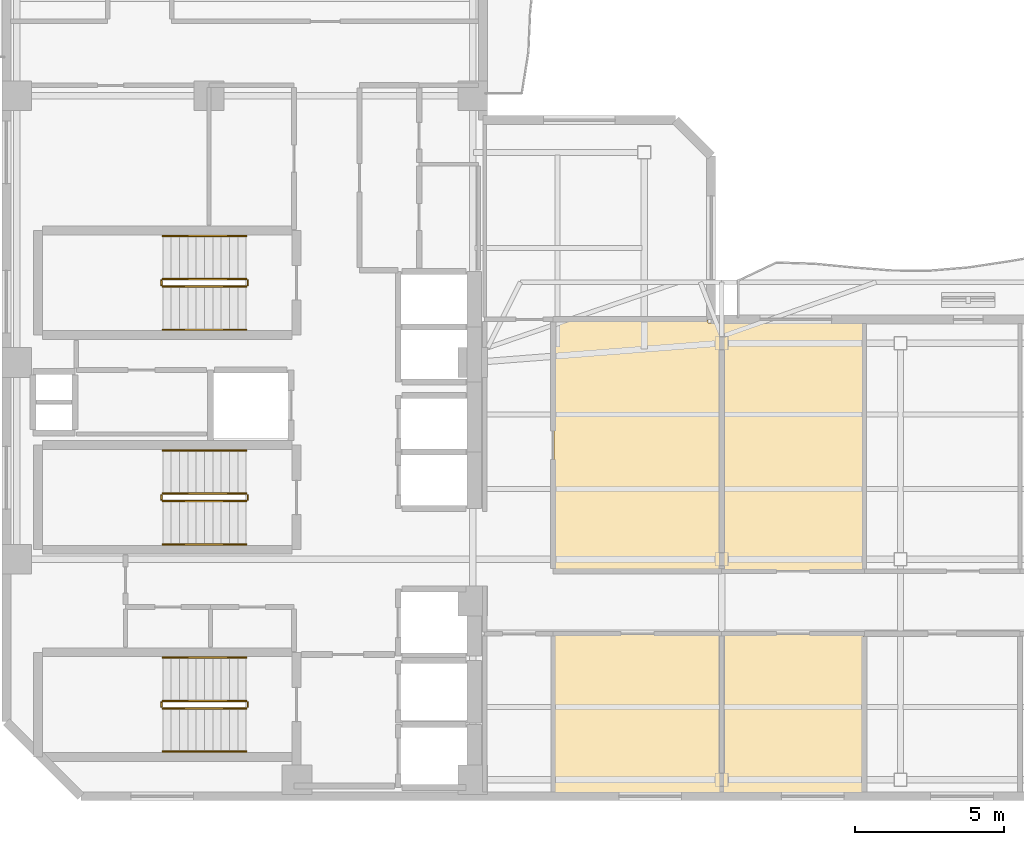
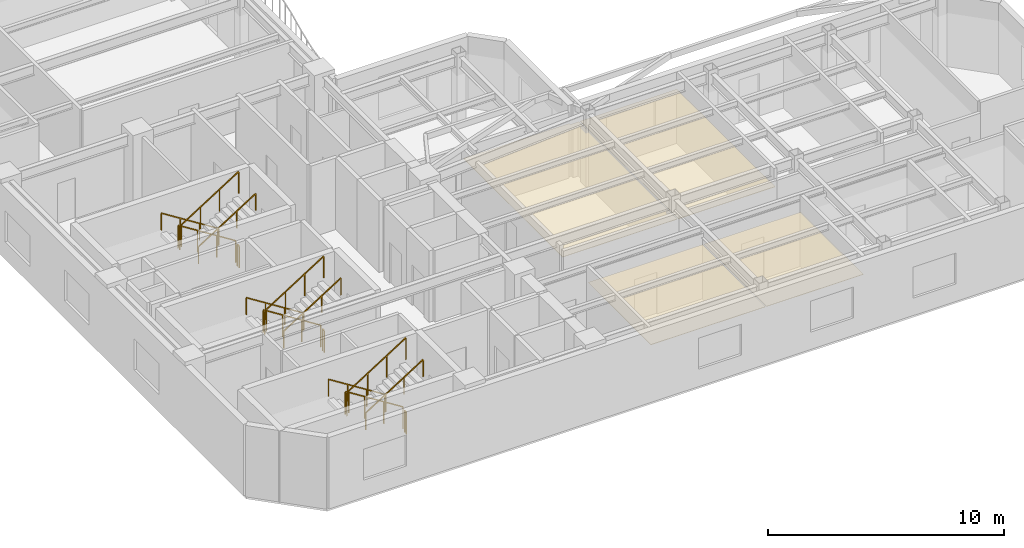
# One storey, part 7 of 9: 18 railings, 4 coverings.
"""IFC4 building model written with IfcOpenShell, lengths in metres."""

from ifc_helpers import new_model, si_unit, direction, frame, origin, origin_2d, place, context, subcontext, project, spatial, polyline, rectangle, outline, extrude, material, layer, layer_set, type_object, element, save


model = new_model("IFC4")

# Units and contexts
model_context = context("Model", 3, precision=1e-05, world=origin(), true_north=direction((0.0, 1.0)))
body_context = subcontext(model_context, "Body", "Model", "MODEL_VIEW")
ifc_project = project(units=[si_unit("LENGTHUNIT", "METRE"), si_unit("AREAUNIT", "SQUARE_METRE"), si_unit("VOLUMEUNIT", "CUBIC_METRE"), si_unit("PLANEANGLEUNIT", "RADIAN"), si_unit("MASSUNIT", "GRAM", prefix="KILO")], contexts=[model_context])

# Site, building, storey
site_placement = place(None, origin())
site = spatial("IfcSite", under=ifc_project, at=site_placement, CompositionType="ELEMENT")
building_placement = place(site_placement, origin())
building = spatial("IfcBuilding", under=site, at=building_placement, Name="Mawjaban Terraces University", CompositionType="ELEMENT")
storey_placement = place(building_placement, frame((0.0, 0.0, 210.89990234375)))
storey = spatial("IfcBuildingStorey", under=building, at=storey_placement, Name="L51", CompositionType="ELEMENT", Elevation=210.89990234375)

# Coverings
ifc_material_1 = material(Name="Acoustic mineral fibre ceiling tile", Category="masonry")
ifc_layer = layer(ifc_material_1, 0.02001953125)
ifc_layer_set = layer_set([ifc_layer], Name="Acoustic mineral fibre ceiling tile")
covering_type = type_object("IfcCoveringType", Name="AcousticMineralCeiling_20", PredefinedType="CEILING", material=ifc_layer_set)
covering_1_placement = place(storey_placement, frame((0.0, 0.0, 2.75)))
element("IfcCovering", 1, at=covering_1_placement, inside=storey, type_object=covering_type, Name="L51 Teaching Laboratory 2 Acoustic Ceiling", PredefinedType="CEILING", context=body_context, shape_type="SweptSolid", body=[
    extrude(outline(polyline([(40.3798828125, 0.114990234375), (45.969970703125, 0.114990234375), (45.969970703125, 5.419921875), (40.3798828125, 5.419921875), (40.3798828125, 0.114990234375)])), origin(), (0.0, 0.0, 1.0), 0.02001953125),
])
covering_2_placement = place(storey_placement, frame((0.0, 0.0, 2.75)))
element("IfcCovering", 2, at=covering_2_placement, inside=storey, type_object=covering_type, Name="L51 Design Studio 3 Acoustic Ceiling", PredefinedType="CEILING", context=body_context, shape_type="SweptSolid", body=[
    extrude(outline(polyline([(45.969970703125, 15.885009765625), (45.534912109375, 15.885009765625), (45.534912109375, 15.969970703125), (40.3798828125, 15.969970703125), (40.3798828125, 7.580078125), (45.969970703125, 7.580078125), (45.969970703125, 15.885009765625)])), origin(), (0.0, 0.0, 1.0), 0.02001953125),
])
covering_3_placement = place(storey_placement, frame((0.0, 0.0, 2.75)))
element("IfcCovering", 3, at=covering_3_placement, inside=storey, type_object=covering_type, Name="L51 Computational Laboratory 4 Acoustic Ceiling", PredefinedType="CEILING", context=body_context, shape_type="SweptSolid", body=[
    extrude(outline(polyline([(46.030029296875, 0.114990234375), (50.757080078125, 0.114990234375), (50.757080078125, 5.419921875), (46.030029296875, 5.419921875), (46.030029296875, 0.114990234375)])), origin(), (0.0, 0.0, 1.0), 0.02001953125),
])
covering_4_placement = place(storey_placement, frame((0.0, 0.0, 2.75)))
element("IfcCovering", 4, at=covering_4_placement, inside=storey, type_object=covering_type, Name="L51 Teaching Laboratory 5 Acoustic Ceiling", PredefinedType="CEILING", context=body_context, shape_type="SweptSolid", body=[
    extrude(outline(polyline([(50.757080078125, 15.885009765625), (46.030029296875, 15.885009765625), (46.030029296875, 7.580078125), (50.757080078125, 7.580078125), (50.757080078125, 15.885009765625)])), origin(), (0.0, 0.0, 1.0), 0.02001953125),
])

# Railings
ifc_material_2 = material(Name="Brushed stainless steel 316", Category="steel")
railing_type_1 = type_object("IfcRailingType", Name="StairWallHandrail_900", PredefinedType="HANDRAIL", material=ifc_material_2)
railing_1_placement = place(storey_placement, frame((30.050048828125, 4.64990234375, 0.177490234375)))
element("IfcRailing", 5, at=railing_1_placement, inside=storey, type_object=railing_type_1, Name="L51 ST-1 stair handrail 1", PredefinedType="HANDRAIL", context=body_context, shape_type="SweptSolid", body=[
    extrude(rectangle(XDim=0.048095703125, YDim=0.048095703125, at=origin_2d()), frame((0.0, 0.0, 0.8759765625), z_axis=(-0.844908973607, 0.0, 0.534910110503), x_axis=(0.0, -1.0, 0.0)), (0.0, 0.0, 1.0), 3.31396484375),
    extrude(rectangle(XDim=0.0419921875, YDim=0.0419921875, at=origin_2d()), origin(), (0.0, 0.0, 1.0), 0.851806640625),
    extrude(rectangle(XDim=0.0419921875, YDim=0.0419921875, at=origin_2d()), frame((-0.933349609375, 0.0, 0.5908203125)), (0.0, 0.0, 1.0), 0.851806640625),
    extrude(rectangle(XDim=0.0419921875, YDim=0.0419921875, at=origin_2d()), frame((-1.86669921875, 0.0, 1.181884765625)), (0.0, 0.0, 1.0), 0.851806640625),
    extrude(rectangle(XDim=0.0419921875, YDim=0.0419921875, at=origin_2d()), frame((-2.800048828125, 0.0, 1.772705078125)), (0.0, 0.0, 1.0), 0.851806640625),
])
railing_2_placement = place(storey_placement, frame((27.25, 1.5, 2.12744140625)))
element("IfcRailing", 6, at=railing_2_placement, inside=storey, type_object=railing_type_1, Name="L51 ST-1 stair handrail 2", PredefinedType="HANDRAIL", context=body_context, shape_type="SweptSolid", body=[
    extrude(rectangle(XDim=0.048095703125, YDim=0.048095703125, at=origin_2d()), frame((0.0, 0.0, 0.8759765625), z_axis=(0.844908973607, 0.0, 0.534910110503), x_axis=(0.0, 1.0, 0.0)), (0.0, 0.0, 1.0), 3.31396484375),
    extrude(rectangle(XDim=0.0419921875, YDim=0.0419921875, at=origin_2d()), origin(), (0.0, 0.0, 1.0), 0.851806640625),
    extrude(rectangle(XDim=0.0419921875, YDim=0.0419921875, at=origin_2d()), frame((0.933349609375, 0.0, 0.5908203125)), (0.0, 0.0, 1.0), 0.851806640625),
    extrude(rectangle(XDim=0.0419921875, YDim=0.0419921875, at=origin_2d()), frame((1.86669921875, 0.0, 1.181884765625)), (0.0, 0.0, 1.0), 0.851806640625),
    extrude(rectangle(XDim=0.0419921875, YDim=0.0419921875, at=origin_2d()), frame((2.800048828125, 0.0, 1.772705078125)), (0.0, 0.0, 1.0), 0.851806640625),
])
railing_3_placement = place(storey_placement, frame((30.050048828125, 18.800048828125, 0.177490234375)))
element("IfcRailing", 7, at=railing_3_placement, inside=storey, type_object=railing_type_1, Name="L51 ST-2 stair handrail 1", PredefinedType="HANDRAIL", context=body_context, shape_type="SweptSolid", body=[
    extrude(rectangle(XDim=0.048095703125, YDim=0.048095703125, at=origin_2d()), frame((0.0, 0.0, 0.8759765625), z_axis=(-0.844908973607, 0.0, 0.534910110503), x_axis=(0.0, -1.0, 0.0)), (0.0, 0.0, 1.0), 3.31396484375),
    extrude(rectangle(XDim=0.0419921875, YDim=0.0419921875, at=origin_2d()), origin(), (0.0, 0.0, 1.0), 0.851806640625),
    extrude(rectangle(XDim=0.0419921875, YDim=0.0419921875, at=origin_2d()), frame((-0.933349609375, 0.0, 0.5908203125)), (0.0, 0.0, 1.0), 0.851806640625),
    extrude(rectangle(XDim=0.0419921875, YDim=0.0419921875, at=origin_2d()), frame((-1.86669921875, 0.0, 1.181884765625)), (0.0, 0.0, 1.0), 0.851806640625),
    extrude(rectangle(XDim=0.0419921875, YDim=0.0419921875, at=origin_2d()), frame((-2.800048828125, 0.0, 1.772705078125)), (0.0, 0.0, 1.0), 0.851806640625),
])
railing_4_placement = place(storey_placement, frame((27.25, 15.64990234375, 2.12744140625)))
element("IfcRailing", 8, at=railing_4_placement, inside=storey, type_object=railing_type_1, Name="L51 ST-2 stair handrail 2", PredefinedType="HANDRAIL", context=body_context, shape_type="SweptSolid", body=[
    extrude(rectangle(XDim=0.048095703125, YDim=0.048095703125, at=origin_2d()), frame((0.0, 0.0, 0.8759765625), z_axis=(0.844908973607, 0.0, 0.534910110503), x_axis=(0.0, 1.0, 0.0)), (0.0, 0.0, 1.0), 3.31396484375),
    extrude(rectangle(XDim=0.0419921875, YDim=0.0419921875, at=origin_2d()), origin(), (0.0, 0.0, 1.0), 0.851806640625),
    extrude(rectangle(XDim=0.0419921875, YDim=0.0419921875, at=origin_2d()), frame((0.933349609375, 0.0, 0.5908203125)), (0.0, 0.0, 1.0), 0.851806640625),
    extrude(rectangle(XDim=0.0419921875, YDim=0.0419921875, at=origin_2d()), frame((1.86669921875, 0.0, 1.181884765625)), (0.0, 0.0, 1.0), 0.851806640625),
    extrude(rectangle(XDim=0.0419921875, YDim=0.0419921875, at=origin_2d()), frame((2.800048828125, 0.0, 1.772705078125)), (0.0, 0.0, 1.0), 0.851806640625),
])
railing_5_placement = place(storey_placement, frame((30.050048828125, 11.60009765625, 0.177490234375)))
element("IfcRailing", 9, at=railing_5_placement, inside=storey, type_object=railing_type_1, Name="L51 ST-3 stair handrail 1", PredefinedType="HANDRAIL", context=body_context, shape_type="SweptSolid", body=[
    extrude(rectangle(XDim=0.048095703125, YDim=0.048095703125, at=origin_2d()), frame((0.0, 0.0, 0.8759765625), z_axis=(-0.844908973607, 0.0, 0.534910110503), x_axis=(0.0, -1.0, 0.0)), (0.0, 0.0, 1.0), 3.31396484375),
    extrude(rectangle(XDim=0.0419921875, YDim=0.0419921875, at=origin_2d()), origin(), (0.0, 0.0, 1.0), 0.851806640625),
    extrude(rectangle(XDim=0.0419921875, YDim=0.0419921875, at=origin_2d()), frame((-0.933349609375, 0.0, 0.5908203125)), (0.0, 0.0, 1.0), 0.851806640625),
    extrude(rectangle(XDim=0.0419921875, YDim=0.0419921875, at=origin_2d()), frame((-1.86669921875, 0.0, 1.181884765625)), (0.0, 0.0, 1.0), 0.851806640625),
    extrude(rectangle(XDim=0.0419921875, YDim=0.0419921875, at=origin_2d()), frame((-2.800048828125, 0.0, 1.772705078125)), (0.0, 0.0, 1.0), 0.851806640625),
])
railing_6_placement = place(storey_placement, frame((27.25, 8.449951171875, 2.12744140625)))
element("IfcRailing", 10, at=railing_6_placement, inside=storey, type_object=railing_type_1, Name="L51 ST-3 stair handrail 2", PredefinedType="HANDRAIL", context=body_context, shape_type="SweptSolid", body=[
    extrude(rectangle(XDim=0.048095703125, YDim=0.048095703125, at=origin_2d()), frame((0.0, 0.0, 0.8759765625), z_axis=(0.844908973607, 0.0, 0.534910110503), x_axis=(0.0, 1.0, 0.0)), (0.0, 0.0, 1.0), 3.31396484375),
    extrude(rectangle(XDim=0.0419921875, YDim=0.0419921875, at=origin_2d()), origin(), (0.0, 0.0, 1.0), 0.851806640625),
    extrude(rectangle(XDim=0.0419921875, YDim=0.0419921875, at=origin_2d()), frame((0.933349609375, 0.0, 0.5908203125)), (0.0, 0.0, 1.0), 0.851806640625),
    extrude(rectangle(XDim=0.0419921875, YDim=0.0419921875, at=origin_2d()), frame((1.86669921875, 0.0, 1.181884765625)), (0.0, 0.0, 1.0), 0.851806640625),
    extrude(rectangle(XDim=0.0419921875, YDim=0.0419921875, at=origin_2d()), frame((2.800048828125, 0.0, 1.772705078125)), (0.0, 0.0, 1.0), 0.851806640625),
])
ifc_material_3 = material(Name="Galvanised painted steel S355", Category="steel")
railing_type_2 = type_object("IfcRailingType", Name="StairWellGuard_1150", PredefinedType="BALUSTRADE", material=ifc_material_3)
railing_7_placement = place(storey_placement, frame((30.050048828125, 3.199951171875, 0.177490234375)))
element("IfcRailing", 11, at=railing_7_placement, inside=storey, type_object=railing_type_2, Name="L51 ST-1 stair guard 1", PredefinedType="BALUSTRADE", context=body_context, shape_type="SweptSolid", body=[
    extrude(rectangle(XDim=0.048095703125, YDim=0.048095703125, at=origin_2d()), frame((0.0, 0.0, 1.1259765625), z_axis=(-0.844908973607, 0.0, 0.534910110503), x_axis=(0.0, -1.0, 0.0)), (0.0, 0.0, 1.0), 3.31396484375),
    extrude(rectangle(XDim=0.0419921875, YDim=0.0419921875, at=origin_2d()), origin(), (0.0, 0.0, 1.0), 1.101806640625),
    extrude(rectangle(XDim=0.0419921875, YDim=0.0419921875, at=origin_2d()), frame((-0.933349609375, 0.0, 0.5908203125)), (0.0, 0.0, 1.0), 1.101806640625),
    extrude(rectangle(XDim=0.0419921875, YDim=0.0419921875, at=origin_2d()), frame((-1.86669921875, 0.0, 1.181884765625)), (0.0, 0.0, 1.0), 1.101806640625),
    extrude(rectangle(XDim=0.0419921875, YDim=0.0419921875, at=origin_2d()), frame((-2.800048828125, 0.0, 1.772705078125)), (0.0, 0.0, 1.0), 1.101806640625),
])
railing_8_placement = place(storey_placement, frame((27.199951171875, 3.14990234375, 1.9501953125)))
element("IfcRailing", 12, at=railing_8_placement, inside=storey, type_object=railing_type_2, Name="L51 ST-1 stair guard 2", PredefinedType="BALUSTRADE", context=body_context, shape_type="SweptSolid", body=[
    extrude(rectangle(XDim=0.048095703125, YDim=0.048095703125, at=origin_2d()), frame((0.0, 0.0, 1.1259765625), z_axis=(0.0, -1.0, 0.0), x_axis=(1.0, 0.0, 0.0)), (0.0, 0.0, 1.0), 0.14990234375),
    extrude(rectangle(XDim=0.0419921875, YDim=0.0419921875, at=origin_2d()), origin(), (0.0, 0.0, 1.0), 1.101806640625),
    extrude(rectangle(XDim=0.0419921875, YDim=0.0419921875, at=origin_2d()), frame((0.0, -0.14990234375, 0.0)), (0.0, 0.0, 1.0), 1.101806640625),
])
railing_9_placement = place(storey_placement, frame((27.25, 2.949951171875, 2.12744140625)))
element("IfcRailing", 13, at=railing_9_placement, inside=storey, type_object=railing_type_2, Name="L51 ST-1 stair guard 3", PredefinedType="BALUSTRADE", context=body_context, shape_type="SweptSolid", body=[
    extrude(rectangle(XDim=0.048095703125, YDim=0.048095703125, at=origin_2d()), frame((0.0, 0.0, 1.1259765625), z_axis=(0.844908973607, 0.0, 0.534910110503), x_axis=(0.0, 1.0, 0.0)), (0.0, 0.0, 1.0), 3.31396484375),
    extrude(rectangle(XDim=0.0419921875, YDim=0.0419921875, at=origin_2d()), origin(), (0.0, 0.0, 1.0), 1.101806640625),
    extrude(rectangle(XDim=0.0419921875, YDim=0.0419921875, at=origin_2d()), frame((0.933349609375, 0.0, 0.5908203125)), (0.0, 0.0, 1.0), 1.101806640625),
    extrude(rectangle(XDim=0.0419921875, YDim=0.0419921875, at=origin_2d()), frame((1.86669921875, 0.0, 1.181884765625)), (0.0, 0.0, 1.0), 1.101806640625),
    extrude(rectangle(XDim=0.0419921875, YDim=0.0419921875, at=origin_2d()), frame((2.800048828125, 0.0, 1.772705078125)), (0.0, 0.0, 1.0), 1.101806640625),
])
railing_10_placement = place(storey_placement, frame((30.10009765625, 3.14990234375, 0.0)))
element("IfcRailing", 14, at=railing_10_placement, inside=storey, type_object=railing_type_2, Name="L51 ST-1 stair guard 4", PredefinedType="BALUSTRADE", context=body_context, shape_type="SweptSolid", body=[
    extrude(rectangle(XDim=0.048095703125, YDim=0.048095703125, at=origin_2d()), frame((0.0, 0.0, 1.1259765625), z_axis=(0.0, -1.0, 0.0), x_axis=(1.0, 0.0, 0.0)), (0.0, 0.0, 1.0), 0.14990234375),
    extrude(rectangle(XDim=0.0419921875, YDim=0.0419921875, at=origin_2d()), origin(), (0.0, 0.0, 1.0), 1.101806640625),
    extrude(rectangle(XDim=0.0419921875, YDim=0.0419921875, at=origin_2d()), frame((0.0, -0.14990234375, 0.0)), (0.0, 0.0, 1.0), 1.101806640625),
])
railing_11_placement = place(storey_placement, frame((30.050048828125, 17.35009765625, 0.177490234375)))
element("IfcRailing", 15, at=railing_11_placement, inside=storey, type_object=railing_type_2, Name="L51 ST-2 stair guard 1", PredefinedType="BALUSTRADE", context=body_context, shape_type="SweptSolid", body=[
    extrude(rectangle(XDim=0.048095703125, YDim=0.048095703125, at=origin_2d()), frame((0.0, 0.0, 1.1259765625), z_axis=(-0.844908973607, 0.0, 0.534910110503), x_axis=(0.0, -1.0, 0.0)), (0.0, 0.0, 1.0), 3.31396484375),
    extrude(rectangle(XDim=0.0419921875, YDim=0.0419921875, at=origin_2d()), origin(), (0.0, 0.0, 1.0), 1.101806640625),
    extrude(rectangle(XDim=0.0419921875, YDim=0.0419921875, at=origin_2d()), frame((-0.933349609375, 0.0, 0.5908203125)), (0.0, 0.0, 1.0), 1.101806640625),
    extrude(rectangle(XDim=0.0419921875, YDim=0.0419921875, at=origin_2d()), frame((-1.86669921875, 0.0, 1.181884765625)), (0.0, 0.0, 1.0), 1.101806640625),
    extrude(rectangle(XDim=0.0419921875, YDim=0.0419921875, at=origin_2d()), frame((-2.800048828125, 0.0, 1.772705078125)), (0.0, 0.0, 1.0), 1.101806640625),
])
railing_12_placement = place(storey_placement, frame((27.199951171875, 17.300048828125, 1.9501953125)))
element("IfcRailing", 16, at=railing_12_placement, inside=storey, type_object=railing_type_2, Name="L51 ST-2 stair guard 2", PredefinedType="BALUSTRADE", context=body_context, shape_type="SweptSolid", body=[
    extrude(rectangle(XDim=0.048095703125, YDim=0.048095703125, at=origin_2d()), frame((0.0, 0.0, 1.1259765625), z_axis=(0.0, -1.0, 0.0), x_axis=(1.0, 0.0, 0.0)), (0.0, 0.0, 1.0), 0.150146484375),
    extrude(rectangle(XDim=0.0419921875, YDim=0.0419921875, at=origin_2d()), origin(), (0.0, 0.0, 1.0), 1.101806640625),
    extrude(rectangle(XDim=0.0419921875, YDim=0.0419921875, at=origin_2d()), frame((0.0, -0.150146484375, 0.0)), (0.0, 0.0, 1.0), 1.101806640625),
])
railing_13_placement = place(storey_placement, frame((27.25, 17.10009765625, 2.12744140625)))
element("IfcRailing", 17, at=railing_13_placement, inside=storey, type_object=railing_type_2, Name="L51 ST-2 stair guard 3", PredefinedType="BALUSTRADE", context=body_context, shape_type="SweptSolid", body=[
    extrude(rectangle(XDim=0.048095703125, YDim=0.048095703125, at=origin_2d()), frame((0.0, 0.0, 1.1259765625), z_axis=(0.844908973607, 0.0, 0.534910110503), x_axis=(0.0, 1.0, 0.0)), (0.0, 0.0, 1.0), 3.31396484375),
    extrude(rectangle(XDim=0.0419921875, YDim=0.0419921875, at=origin_2d()), origin(), (0.0, 0.0, 1.0), 1.101806640625),
    extrude(rectangle(XDim=0.0419921875, YDim=0.0419921875, at=origin_2d()), frame((0.933349609375, 0.0, 0.5908203125)), (0.0, 0.0, 1.0), 1.101806640625),
    extrude(rectangle(XDim=0.0419921875, YDim=0.0419921875, at=origin_2d()), frame((1.86669921875, 0.0, 1.181884765625)), (0.0, 0.0, 1.0), 1.101806640625),
    extrude(rectangle(XDim=0.0419921875, YDim=0.0419921875, at=origin_2d()), frame((2.800048828125, 0.0, 1.772705078125)), (0.0, 0.0, 1.0), 1.101806640625),
])
railing_14_placement = place(storey_placement, frame((30.10009765625, 17.300048828125, 0.0)))
element("IfcRailing", 18, at=railing_14_placement, inside=storey, type_object=railing_type_2, Name="L51 ST-2 stair guard 4", PredefinedType="BALUSTRADE", context=body_context, shape_type="SweptSolid", body=[
    extrude(rectangle(XDim=0.048095703125, YDim=0.048095703125, at=origin_2d()), frame((0.0, 0.0, 1.1259765625), z_axis=(0.0, -1.0, 0.0), x_axis=(1.0, 0.0, 0.0)), (0.0, 0.0, 1.0), 0.150146484375),
    extrude(rectangle(XDim=0.0419921875, YDim=0.0419921875, at=origin_2d()), origin(), (0.0, 0.0, 1.0), 1.101806640625),
    extrude(rectangle(XDim=0.0419921875, YDim=0.0419921875, at=origin_2d()), frame((0.0, -0.150146484375, 0.0)), (0.0, 0.0, 1.0), 1.101806640625),
])
railing_15_placement = place(storey_placement, frame((30.050048828125, 10.14990234375, 0.177490234375)))
element("IfcRailing", 19, at=railing_15_placement, inside=storey, type_object=railing_type_2, Name="L51 ST-3 stair guard 1", PredefinedType="BALUSTRADE", context=body_context, shape_type="SweptSolid", body=[
    extrude(rectangle(XDim=0.048095703125, YDim=0.048095703125, at=origin_2d()), frame((0.0, 0.0, 1.1259765625), z_axis=(-0.844908973607, 0.0, 0.534910110503), x_axis=(0.0, -1.0, 0.0)), (0.0, 0.0, 1.0), 3.31396484375),
    extrude(rectangle(XDim=0.0419921875, YDim=0.0419921875, at=origin_2d()), origin(), (0.0, 0.0, 1.0), 1.101806640625),
    extrude(rectangle(XDim=0.0419921875, YDim=0.0419921875, at=origin_2d()), frame((-0.933349609375, 0.0, 0.5908203125)), (0.0, 0.0, 1.0), 1.101806640625),
    extrude(rectangle(XDim=0.0419921875, YDim=0.0419921875, at=origin_2d()), frame((-1.86669921875, 0.0, 1.181884765625)), (0.0, 0.0, 1.0), 1.101806640625),
    extrude(rectangle(XDim=0.0419921875, YDim=0.0419921875, at=origin_2d()), frame((-2.800048828125, 0.0, 1.772705078125)), (0.0, 0.0, 1.0), 1.101806640625),
])
railing_16_placement = place(storey_placement, frame((27.199951171875, 10.10009765625, 1.9501953125)))
element("IfcRailing", 20, at=railing_16_placement, inside=storey, type_object=railing_type_2, Name="L51 ST-3 stair guard 2", PredefinedType="BALUSTRADE", context=body_context, shape_type="SweptSolid", body=[
    extrude(rectangle(XDim=0.048095703125, YDim=0.048095703125, at=origin_2d()), frame((0.0, 0.0, 1.1259765625), z_axis=(0.0, -1.0, 0.0), x_axis=(1.0, 0.0, 0.0)), (0.0, 0.0, 1.0), 0.150146484375),
    extrude(rectangle(XDim=0.0419921875, YDim=0.0419921875, at=origin_2d()), origin(), (0.0, 0.0, 1.0), 1.101806640625),
    extrude(rectangle(XDim=0.0419921875, YDim=0.0419921875, at=origin_2d()), frame((0.0, -0.150146484375, 0.0)), (0.0, 0.0, 1.0), 1.101806640625),
])
railing_17_placement = place(storey_placement, frame((27.25, 9.89990234375, 2.12744140625)))
element("IfcRailing", 21, at=railing_17_placement, inside=storey, type_object=railing_type_2, Name="L51 ST-3 stair guard 3", PredefinedType="BALUSTRADE", context=body_context, shape_type="SweptSolid", body=[
    extrude(rectangle(XDim=0.048095703125, YDim=0.048095703125, at=origin_2d()), frame((0.0, 0.0, 1.1259765625), z_axis=(0.844908973607, 0.0, 0.534910110503), x_axis=(0.0, 1.0, 0.0)), (0.0, 0.0, 1.0), 3.31396484375),
    extrude(rectangle(XDim=0.0419921875, YDim=0.0419921875, at=origin_2d()), origin(), (0.0, 0.0, 1.0), 1.101806640625),
    extrude(rectangle(XDim=0.0419921875, YDim=0.0419921875, at=origin_2d()), frame((0.933349609375, 0.0, 0.5908203125)), (0.0, 0.0, 1.0), 1.101806640625),
    extrude(rectangle(XDim=0.0419921875, YDim=0.0419921875, at=origin_2d()), frame((1.86669921875, 0.0, 1.181884765625)), (0.0, 0.0, 1.0), 1.101806640625),
    extrude(rectangle(XDim=0.0419921875, YDim=0.0419921875, at=origin_2d()), frame((2.800048828125, 0.0, 1.772705078125)), (0.0, 0.0, 1.0), 1.101806640625),
])
railing_18_placement = place(storey_placement, frame((30.10009765625, 10.10009765625, 0.0)))
element("IfcRailing", 22, at=railing_18_placement, inside=storey, type_object=railing_type_2, Name="L51 ST-3 stair guard 4", PredefinedType="BALUSTRADE", context=body_context, shape_type="SweptSolid", body=[
    extrude(rectangle(XDim=0.048095703125, YDim=0.048095703125, at=origin_2d()), frame((0.0, 0.0, 1.1259765625), z_axis=(0.0, -1.0, 0.0), x_axis=(1.0, 0.0, 0.0)), (0.0, 0.0, 1.0), 0.150146484375),
    extrude(rectangle(XDim=0.0419921875, YDim=0.0419921875, at=origin_2d()), origin(), (0.0, 0.0, 1.0), 1.101806640625),
    extrude(rectangle(XDim=0.0419921875, YDim=0.0419921875, at=origin_2d()), frame((0.0, -0.150146484375, 0.0)), (0.0, 0.0, 1.0), 1.101806640625),
])

save(model, "model.ifc")
